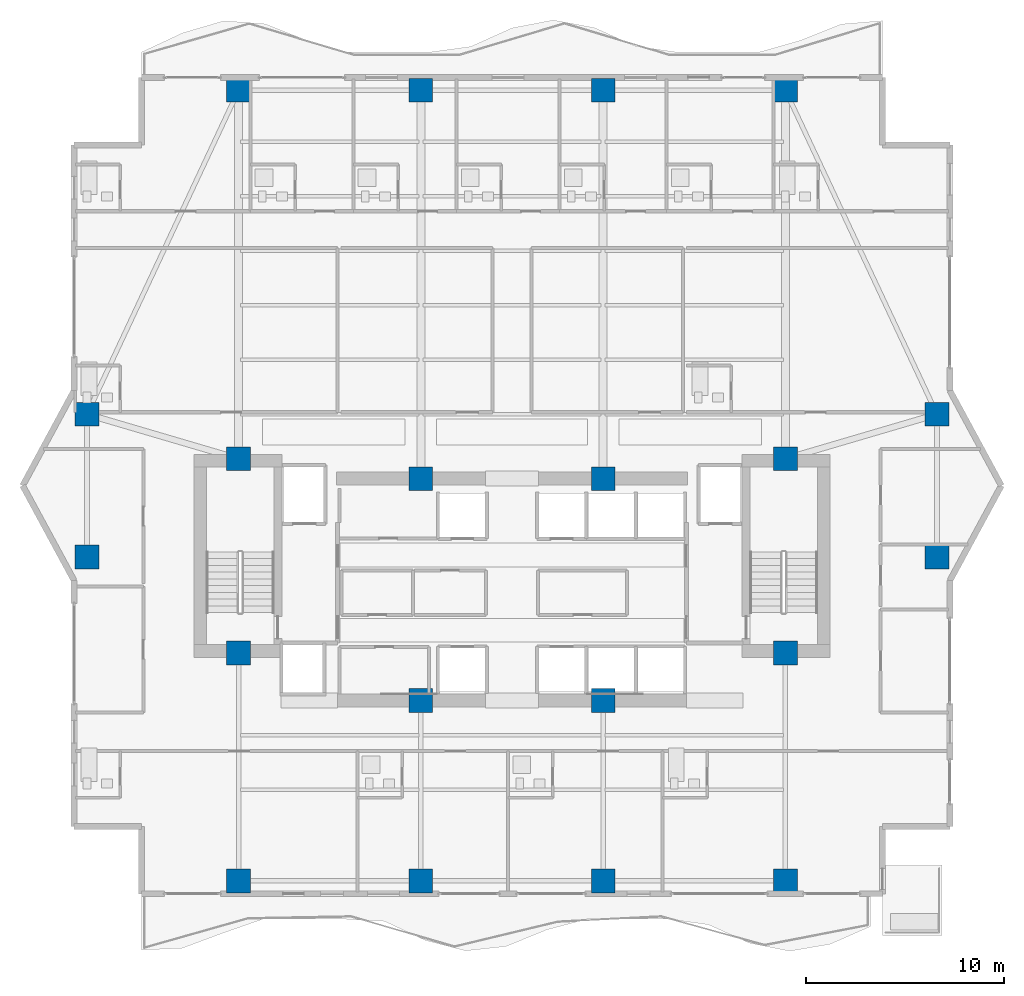
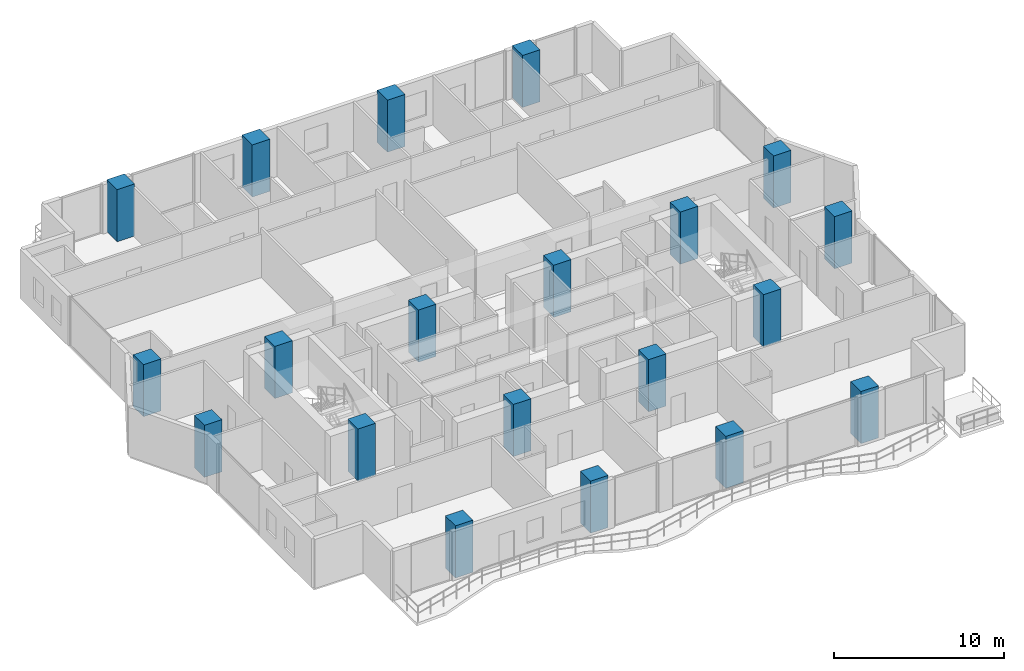
# One storey, part 1 of 32: 20 columns.
"""IFC4 building model written with IfcOpenShell, lengths in metres."""

import ifcopenshell
import ifcopenshell.guid

model = None  # the IFC model being written
_history = None  # IfcOwnerHistory: only IFC2X3 demands one
_inside = {}  # id of a spatial element -> (the spatial element, [elements in it])
_under = {}  # id of a project, library or spatial element -> (it, [spatial elements below it])
_declared = {}  # id of a project -> (the project, [libraries it declares])
_typed = {}  # id of a type object -> (the type object, [elements of that type])
_made_of = {}  # id of a material, layer set ... -> (it, [elements and type objects made of it])


def new_model(schema):
    """Start an empty IFC model of exactly this schema.

    Asked for "IFC4X3", IfcOpenShell would pick the latest addendum, in which some entities
    have other attributes; the version numbers below select the first issue.
    IFC2X3 requires an IfcOwnerHistory on every rooted entity: one is made here for all.
    """
    global model, _history
    if schema == "IFC4X3":
        model = ifcopenshell.file(schema_version=(4, 3, 0, 0))
    else:
        model = ifcopenshell.file(schema=schema)
    _inside.clear()
    _under.clear()
    _declared.clear()
    _typed.clear()
    _made_of.clear()
    _history = None
    if model.schema == "IFC2X3":
        org = make("IfcOrganization", Name="unknown")
        user = make(
            "IfcPersonAndOrganization",
            ThePerson=make("IfcPerson", FamilyName="unknown"),
            TheOrganization=org,
        )
        app = make(
            "IfcApplication",
            ApplicationDeveloper=org,
            Version="unknown",
            ApplicationFullName="unknown",
            ApplicationIdentifier="unknown",
        )
        _history = make(
            "IfcOwnerHistory",
            OwningUser=user,
            OwningApplication=app,
            ChangeAction="ADDED",
            CreationDate=0,
        )
    return model


def make(cls, **values):
    """One entity of the class cls with the attributes given. An attribute that is None is left unset."""
    return model.create_entity(
        cls, **{name: value for name, value in values.items() if value is not None}
    )


def rooted(cls, **values):
    """An entity with a GlobalId (a new one), such as an element, a storey or a relation."""
    return make(cls, GlobalId=ifcopenshell.guid.new(), OwnerHistory=_history, **values)


def si_unit(unit_type, name, prefix=None):
    """IfcSIUnit, for example si_unit("LENGTHUNIT", "METRE", prefix="MILLI")."""
    return make("IfcSIUnit", UnitType=unit_type, Prefix=prefix, Name=name)


def assignment(units):
    """IfcUnitAssignment: the units of a project."""
    return None if units is None else make("IfcUnitAssignment", Units=units)


def point(xyz):
    """IfcCartesianPoint."""
    return None if xyz is None else make("IfcCartesianPoint", Coordinates=xyz)


def direction(xyz):
    """IfcDirection."""
    return None if xyz is None else make("IfcDirection", DirectionRatios=xyz)


def frame(location, z_axis=None, x_axis=None):
    """IfcAxis2Placement3D, a coordinate frame: its origin and axes. An axis left out is left unset."""
    return make(
        "IfcAxis2Placement3D",
        Location=point(location),
        Axis=direction(z_axis),
        RefDirection=direction(x_axis),
    )


def frame_2d(location, x_axis=None):
    """IfcAxis2Placement2D, a coordinate frame in the plane: its origin and x axis."""
    return make(
        "IfcAxis2Placement2D", Location=point(location), RefDirection=direction(x_axis)
    )


def origin():
    """The frame at (0, 0, 0) with its axes left unset."""
    return frame((0.0, 0.0, 0.0))


def origin_2d():
    """The frame at (0, 0) in the plane with its x axis left unset."""
    return frame_2d((0.0, 0.0))


def place(relative_to, where):
    """IfcLocalPlacement: puts the frame where relative to a parent placement (None: the world)."""
    return make(
        "IfcLocalPlacement", PlacementRelTo=relative_to, RelativePlacement=where
    )


def context(
    kind, dimensions, precision=None, world=None, true_north=None, identifier=None
):
    """IfcGeometricRepresentationContext, for example the 3D "Model" context."""
    return make(
        "IfcGeometricRepresentationContext",
        ContextIdentifier=identifier,
        ContextType=kind,
        CoordinateSpaceDimension=dimensions,
        Precision=precision,
        WorldCoordinateSystem=world,
        TrueNorth=true_north,
    )


def subcontext(parent, identifier, kind, view, scale=None):
    """IfcGeometricRepresentationSubContext, for example "Body" below "Model"."""
    return make(
        "IfcGeometricRepresentationSubContext",
        ContextIdentifier=identifier,
        ContextType=kind,
        ParentContext=parent,
        TargetScale=scale,
        TargetView=view,
    )


def project(units=None, contexts=None):
    """IfcProject with its units and contexts."""
    return rooted(
        "IfcProject",
        Name="project",
        RepresentationContexts=contexts,
        UnitsInContext=assignment(units),
    )


def spatial(cls, under=None, at=None, **own):
    """A site, building, storey or space (cls), placed at a placement, below another one or the project."""
    s = rooted(cls, ObjectPlacement=at, **own)
    if under is not None:
        _under.setdefault(under.id(), (under, []))[1].append(s)
    return s


def profile(cls, at=None, kind="AREA", **sizes):
    """A parametric profile (cls). Its sizes go by their IFC names, for example OverallWidth=200.0."""
    return make(cls, ProfileType=kind, Position=at, **sizes)


def rectangle(**sizes):
    """IfcRectangleProfileDef."""
    return profile("IfcRectangleProfileDef", **sizes)


def extrude(swept, where, along, depth):
    """IfcExtrudedAreaSolid: the profile swept, set in the frame where, extruded along a direction by depth."""
    return make(
        "IfcExtrudedAreaSolid",
        SweptArea=swept,
        Position=where,
        ExtrudedDirection=direction(along),
        Depth=depth,
    )


def shape(context_of_items, identifier, shape_type, items):
    """IfcShapeRepresentation: the items that make up one representation, for example the "Body"."""
    return make(
        "IfcShapeRepresentation",
        ContextOfItems=context_of_items,
        RepresentationIdentifier=identifier,
        RepresentationType=shape_type,
        Items=items,
    )


def material(Name=None, Category=None):
    """IfcMaterial."""
    return make("IfcMaterial", Name=Name, Category=Category)


def material_profile(
    of_material, cross_section, Name=None, Category=None, Priority=None
):
    """IfcMaterialProfile: a cross section and its material."""
    return make(
        "IfcMaterialProfile",
        Name=Name,
        Material=of_material,
        Profile=cross_section,
        Priority=Priority,
        Category=Category,
    )


def profile_set(profiles, Name=None, composite=None):
    """IfcMaterialProfileSet."""
    return make(
        "IfcMaterialProfileSet",
        Name=Name,
        MaterialProfiles=profiles,
        CompositeProfile=composite,
    )


def made_of(thing, what):
    """Note that an element or type object is made of a material, layer set ...; save() writes the relation."""
    if what is not None:
        _made_of.setdefault(what.id(), (what, []))[1].append(thing)
    return thing


def type_object(cls, material=None, **own):
    """A type object (cls), such as IfcWallType, which elements share."""
    return made_of(rooted(cls, **own), material)


def element(
    cls,
    number,
    at=None,
    inside=None,
    cuts=None,
    type_object=None,
    material=None,
    context=None,
    identifier="Body",
    shape_type=None,
    held_by="IfcProductDefinitionShape",
    body=None,
    shapes=None,
    **own,
):
    """One element of the class cls, such as IfcWall. Its Tag is "e" and its number.

    at: its placement. inside: the storey or other place that contains it. cuts: it is an
    opening in that element (IfcRelVoidsElement). A single representation is given by context,
    identifier, shape_type and body (its items); several are given by shapes. held_by: the class
    of the entity that holds the representations. save() writes the other relations.
    """
    e = rooted(cls, Tag="e%d" % number, ObjectPlacement=at, **own)
    if body is not None:
        shapes = [shape(context, identifier, shape_type, body)]
    if shapes is not None:
        e.Representation = make(held_by, Representations=shapes)
    if inside is not None:
        _inside.setdefault(inside.id(), (inside, []))[1].append(e)
    if cuts is not None:
        rooted(
            "IfcRelVoidsElement", RelatingBuildingElement=cuts, RelatedOpeningElement=e
        )
    if type_object is not None:
        _typed.setdefault(type_object.id(), (type_object, []))[1].append(e)
    return made_of(e, material)


def aggregate(whole, parts):
    """IfcRelAggregates: a whole, such as a stair, and the parts it consists of."""
    return rooted("IfcRelAggregates", RelatingObject=whole, RelatedObjects=parts)


def save(model, path):
    """Write the relations noted so far, then the file.

    IfcRelAggregates (storeys below a building ...), IfcRelContainedInSpatialStructure (elements
    in a storey), IfcRelDefinesByType, IfcRelAssociatesMaterial and IfcRelDeclares: one each for
    every whole, place, type object, material and project.
    """
    for whole, parts in _under.values():
        aggregate(whole, parts)
    for where, things in _inside.values():
        rooted(
            "IfcRelContainedInSpatialStructure",
            RelatedElements=things,
            RelatingStructure=where,
        )
    for kind, things in _typed.values():
        rooted("IfcRelDefinesByType", RelatedObjects=things, RelatingType=kind)
    for what, things in _made_of.values():
        rooted("IfcRelAssociatesMaterial", RelatedObjects=things, RelatingMaterial=what)
    for by, libraries in _declared.values():
        rooted("IfcRelDeclares", RelatingContext=by, RelatedDefinitions=libraries)
    model.write(path)


model = new_model("IFC4")

# Units and contexts
model_context = context("Model", 3, precision=1e-05, world=origin(), true_north=direction((0.0, 1.0)))
body_context = subcontext(model_context, "Body", "Model", "MODEL_VIEW")
ifc_project = project(units=[si_unit("LENGTHUNIT", "METRE"), si_unit("AREAUNIT", "SQUARE_METRE"), si_unit("VOLUMEUNIT", "CUBIC_METRE"), si_unit("PLANEANGLEUNIT", "RADIAN"), si_unit("MASSUNIT", "GRAM", prefix="KILO")], contexts=[model_context])

# Site, building, storey
site_placement = place(None, origin())
site = spatial("IfcSite", under=ifc_project, at=site_placement, CompositionType="ELEMENT")
building_placement = place(site_placement, origin())
building = spatial("IfcBuilding", under=site, at=building_placement, Name="Zuhayl Quay Hotel", CompositionType="ELEMENT")
storey_placement = place(building_placement, frame((0.0, 0.0, 203.64990234375)))
storey = spatial("IfcBuildingStorey", under=building, at=storey_placement, Name="L51", CompositionType="ELEMENT", Elevation=203.64990234375)

# Columns
ifc_material = material(Name="Concrete C60/75", Category="concrete")
ifc_material_profile_1 = material_profile(ifc_material, rectangle(XDim=1.199951171875, YDim=1.199951171875, at=origin_2d()), Name="RC1200X1200")
ifc_profile_set_1 = profile_set([ifc_material_profile_1], Name="Concrete C60/75")
column_type_1 = type_object("IfcColumnType", Name="CL_CC2_1200", PredefinedType="COLUMN", material=ifc_profile_set_1)
for number, where, z_axis, x_axis, name in (
    (1, (-13.800048828125, 14.35009765625, 0.0), (0.0, 0.0, 1.0), (1.0, 0.0, 0.0), "L51 Core Column CC_NW"),
    (2, (-4.60009765625, 13.35009765625, 0.0), (0.0, 0.0, 1.0), (1.0, 0.0, 0.0), "L51 Core Column CC_CNW"),
    (3, (4.60009765625, 13.35009765625, 0.0), (0.0, 0.0, 1.0), (1.0, 0.0, 0.0), "L51 Core Column CC_CNE"),
    (4, (13.800048828125, 14.35009765625, 0.0), (0.0, 0.0, 1.0), (1.0, 0.0, 0.0), "L51 Core Column CC_NE"),
    (5, (-13.800048828125, 4.550048828125, 0.0), (0.0, 0.0, 1.0), (1.0, 0.0, 0.0), "L51 Core Column CC_SW"),
    (6, (-4.60009765625, 2.14990234375, 0.0), (0.0, 0.0, 1.0), (1.0, 0.0, 0.0), "L51 Core Column CC_CSW"),
    (7, (4.60009765625, 2.14990234375, 0.0), (0.0, 0.0, 1.0), (1.0, 0.0, 0.0), "L51 Core Column CC_CSE"),
    (8, (13.800048828125, 4.550048828125, 0.0), (0.0, 0.0, 1.0), (1.0, 0.0, 0.0), "L51 Core Column CC_SE"),
):
    element("IfcColumn", number, at=place(storey_placement, frame(where, z_axis=z_axis, x_axis=x_axis)), inside=storey, type_object=column_type_1, Name=name, PredefinedType="COLUMN", context=body_context, shape_type="SweptSolid", body=[
        extrude(rectangle(XDim=1.199951171875, YDim=1.199951171875, at=origin_2d()), origin(), (0.0, 0.0, 1.0), 3.75),
    ])
ifc_material_profile_2 = material_profile(ifc_material, rectangle(XDim=1.199951171875, YDim=1.199951171875, at=origin_2d()), Name="RC1200X1200")
ifc_profile_set_2 = profile_set([ifc_material_profile_2], Name="Concrete C60/75")
column_type_2 = type_object("IfcColumnType", Name="CL_MC3_1200", PredefinedType="COLUMN", material=ifc_profile_set_2)
for number, where, z_axis, x_axis, name in (
    (9, (-13.800048828125, -6.949951171875, 0.0), (0.0, 0.0, 1.0), (1.0, 0.0, 0.0), "L51 Mega-Column MC_S1"),
    (10, (-4.60009765625, -6.949951171875, 0.0), (0.0, 0.0, 1.0), (1.0, 0.0, 0.0), "L51 Mega-Column MC_S2"),
    (11, (4.60009765625, -6.949951171875, 0.0), (0.0, 0.0, 1.0), (1.0, 0.0, 0.0), "L51 Mega-Column MC_S3"),
    (12, (13.800048828125, -6.949951171875, 0.0), (0.0, 0.0, 1.0), (1.0, 0.0, 0.0), "L51 Mega-Column MC_S4"),
    (13, (-13.800048828125, 32.949951171875, 0.0), (0.0, 0.0, 1.0), (1.0, 0.0, 0.0), "L51 Mega-Column MC_N1"),
    (14, (-4.60009765625, 32.949951171875, 0.0), (0.0, 0.0, 1.0), (1.0, 0.0, 0.0), "L51 Mega-Column MC_N2"),
    (15, (4.60009765625, 32.949951171875, 0.0), (0.0, 0.0, 1.0), (1.0, 0.0, 0.0), "L51 Mega-Column MC_N3"),
    (16, (13.800048828125, 32.949951171875, 0.0), (0.0, 0.0, 1.0), (1.0, 0.0, 0.0), "L51 Mega-Column MC_N4"),
    (17, (-21.449951171875, 9.39990234375, 0.0), (0.0, 0.0, 1.0), (1.0, 0.0, 0.0), "L51 Mega-Column MC_W1"),
    (18, (-21.449951171875, 16.60009765625, 0.0), (0.0, 0.0, 1.0), (1.0, 0.0, 0.0), "L51 Mega-Column MC_W2"),
    (19, (21.449951171875, 9.39990234375, 0.0), (0.0, 0.0, 1.0), (1.0, 0.0, 0.0), "L51 Mega-Column MC_E1"),
    (20, (21.449951171875, 16.60009765625, 0.0), (0.0, 0.0, 1.0), (1.0, 0.0, 0.0), "L51 Mega-Column MC_E2"),
):
    element("IfcColumn", number, at=place(storey_placement, frame(where, z_axis=z_axis, x_axis=x_axis)), inside=storey, type_object=column_type_2, Name=name, PredefinedType="COLUMN", context=body_context, shape_type="SweptSolid", body=[
        extrude(rectangle(XDim=1.199951171875, YDim=1.199951171875, at=origin_2d()), origin(), (0.0, 0.0, 1.0), 3.75),
    ])

save(model, "model.ifc")
